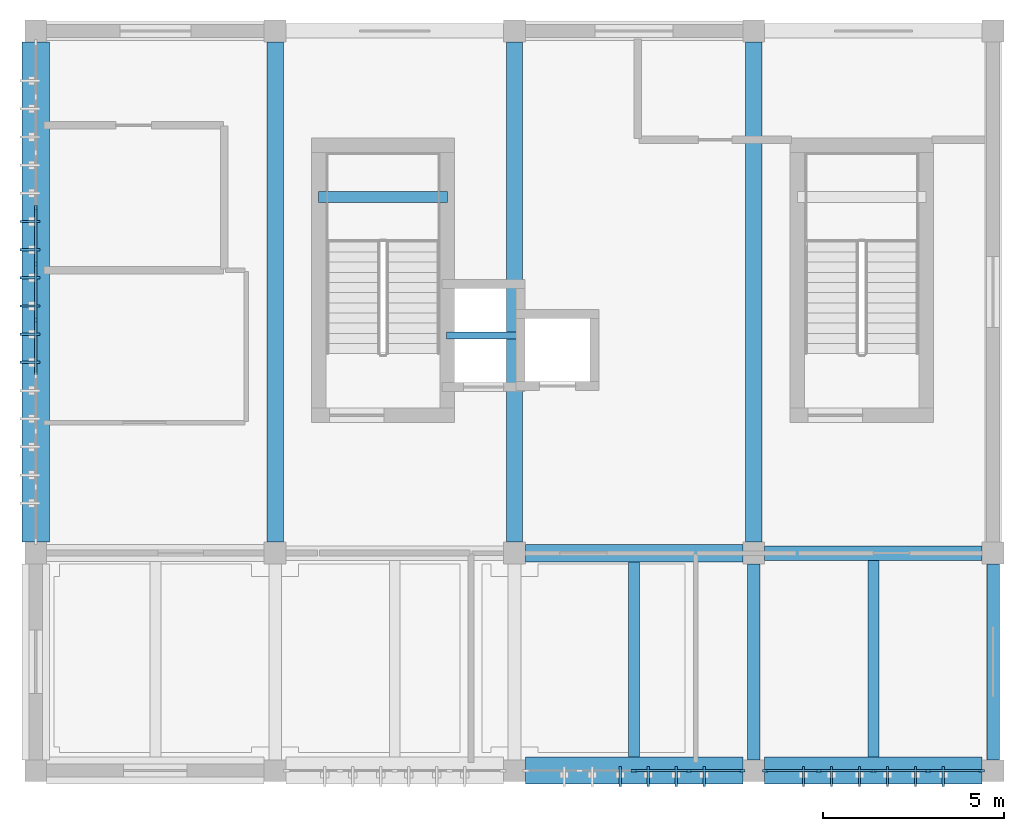
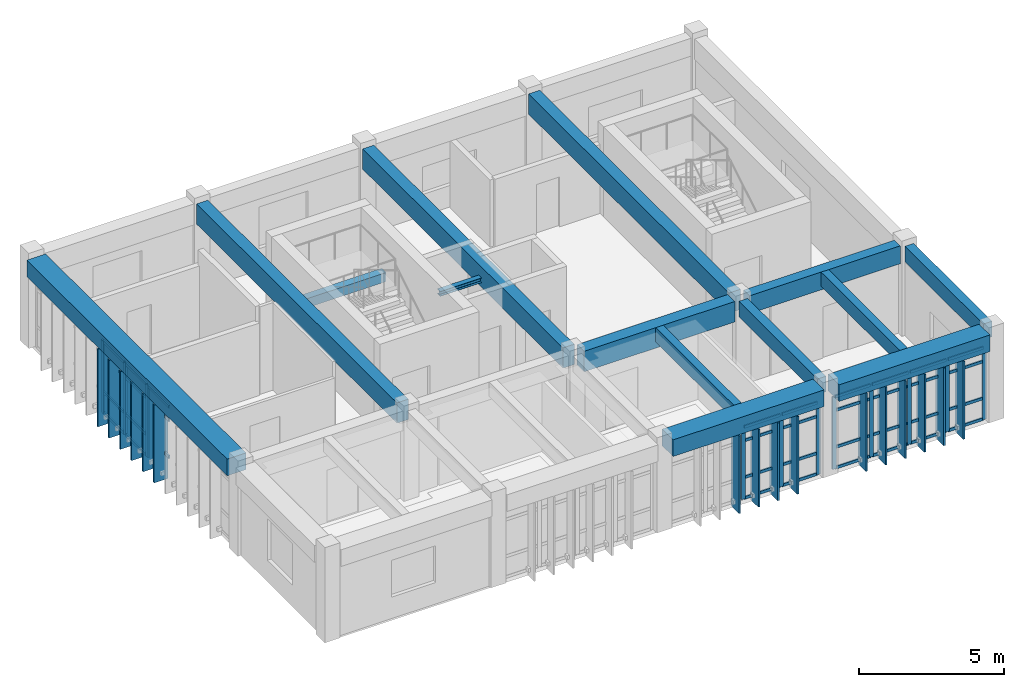
# One storey, part 2 of 7: 62 members, 14 beams, 3 elements without a shape of their own.
"""IFC4 building model written with IfcOpenShell, lengths in metres."""

from ifc_helpers import new_model, si_unit, direction, frame, origin, origin_2d, place, context, subcontext, project, spatial, rectangle, i_section, extrude, material, layer, layer_set, material_profile, profile_set, type_object, element, aggregate, save


model = new_model("IFC4")

# Units and contexts
model_context = context("Model", 3, precision=1e-05, world=origin(), true_north=direction((0.0, 1.0)))
body_context = subcontext(model_context, "Body", "Model", "MODEL_VIEW")
ifc_project = project(units=[si_unit("LENGTHUNIT", "METRE"), si_unit("AREAUNIT", "SQUARE_METRE"), si_unit("VOLUMEUNIT", "CUBIC_METRE"), si_unit("PLANEANGLEUNIT", "RADIAN"), si_unit("MASSUNIT", "GRAM", prefix="KILO")], contexts=[model_context])

# Site, building, storey
site_placement = place(None, origin())
site = spatial("IfcSite", under=ifc_project, at=site_placement, CompositionType="ELEMENT")
building_placement = place(site_placement, origin())
building = spatial("IfcBuilding", under=site, at=building_placement, Name="Miralva Faculty of Natural Sciences", CompositionType="ELEMENT")
storey_placement = place(building_placement, frame((0.0, 0.0, 40.60009765625)))
storey = spatial("IfcBuildingStorey", under=building, at=storey_placement, Name="L09", CompositionType="ELEMENT", Elevation=40.60009765625)

# Beams
ifc_material_1 = material(Name="Concrete C40/50", Category="concrete")
ifc_material_profile_1 = material_profile(ifc_material_1, rectangle(XDim=0.449951171875, YDim=0.85009765625, at=origin_2d()), Name="RC 450x850")
ifc_profile_set_1 = profile_set([ifc_material_profile_1], Name="Concrete C40/50")
beam_type_1 = type_object("IfcBeamType", Name="BM-B01", PredefinedType="BEAM", material=ifc_profile_set_1)
for number, where, z_axis, x_axis, name in (
    (1, (9.60009765625, 9.300048828125, 3.324951171875), (0.0, 1.0, 0.0), (-1.0, 0.0, 0.0), "Girder NS L09-16"),
    (2, (16.199951171875, 9.300048828125, 3.324951171875), (0.0, 1.0, 0.0), (-1.0, 0.0, 0.0), "Girder NS L09-18"),
    (3, (22.800048828125, 9.300048828125, 3.324951171875), (0.0, 1.0, 0.0), (-1.0, 0.0, 0.0), "Girder NS L09-20"),
):
    element("IfcBeam", number, at=place(storey_placement, frame(where, z_axis=z_axis, x_axis=x_axis)), inside=storey, type_object=beam_type_1, Name=name, PredefinedType="BEAM", context=body_context, shape_type="SweptSolid", body=[
        extrude(rectangle(XDim=0.449951171875, YDim=0.85009765625, at=origin_2d()), origin(), (0.0, 0.0, 1.0), 13.800048828125),
    ])
ifc_material_profile_2 = material_profile(ifc_material_1, rectangle(XDim=0.39990234375, YDim=0.75, at=origin_2d()), Name="RC 400x750")
ifc_profile_set_2 = profile_set([ifc_material_profile_2], Name="Concrete C40/50")
beam_type_2 = type_object("IfcBeamType", Name="BM-B03", PredefinedType="BEAM", material=ifc_profile_set_2)
beam_1_placement = place(storey_placement, frame((23.10009765625, 9.0, 3.375), z_axis=(1.0, 0.0, 0.0), x_axis=(0.0, 1.0, 0.0)))
element("IfcBeam", 4, at=beam_1_placement, inside=storey, type_object=beam_type_2, Name="Girder EW L09-8", PredefinedType="BEAM", context=body_context, shape_type="SweptSolid", body=[
    extrude(rectangle(XDim=0.39990234375, YDim=0.75, at=origin_2d()), origin(), (0.0, 0.0, 1.0), 6.0),
])
ifc_material_profile_3 = material_profile(ifc_material_1, rectangle(XDim=0.35009765625, YDim=0.64990234375, at=origin_2d()), Name="RC 350x650")
ifc_profile_set_3 = profile_set([ifc_material_profile_3], Name="Concrete C40/50")
beam_type_3 = type_object("IfcBeamType", Name="BM-B05", PredefinedType="BEAM", material=ifc_profile_set_3)
for number, where, z_axis, x_axis, name in (
    (5, (22.800048828125, 3.300048828125, 3.4248046875), (0.0, 1.0, 0.0), (-1.0, 0.0, 0.0), "Girder NS L09-19"),
    (6, (29.39990234375, 3.300048828125, 3.4248046875), (0.0, 1.0, 0.0), (-1.0, 0.0, 0.0), "Girder NS L09-21"),
):
    element("IfcBeam", number, at=place(storey_placement, frame(where, z_axis=z_axis, x_axis=x_axis)), inside=storey, type_object=beam_type_3, Name=name, PredefinedType="BEAM", context=body_context, shape_type="SweptSolid", body=[
        extrude(rectangle(XDim=0.35009765625, YDim=0.64990234375, at=origin_2d()), origin(), (0.0, 0.0, 1.0), 5.39990234375),
    ])
ifc_material_profile_4 = material_profile(ifc_material_1, rectangle(XDim=0.47998046875, YDim=0.860107421875, at=origin_2d()), Name="RC 480x860")
ifc_profile_set_4 = profile_set([ifc_material_profile_4], Name="Concrete C40/50")
beam_type_4 = type_object("IfcBeamType", Name="BM-BG17", PredefinedType="BEAM", material=ifc_profile_set_4)
beam_2_placement = place(storey_placement, frame((16.5, 9.0, 3.31982421875), z_axis=(1.0, 0.0, 0.0), x_axis=(0.0, 1.0, 0.0)))
element("IfcBeam", 7, at=beam_2_placement, inside=storey, type_object=beam_type_4, Name="Girder EW L09-7", PredefinedType="BEAM", context=body_context, shape_type="SweptSolid", body=[
    extrude(rectangle(XDim=0.47998046875, YDim=0.860107421875, at=origin_2d()), origin(), (0.0, 0.0, 1.0), 6.0),
])
ifc_material_profile_5 = material_profile(ifc_material_1, rectangle(XDim=0.300048828125, YDim=0.60009765625, at=origin_2d()), Name="RC 300x600")
ifc_profile_set_5 = profile_set([ifc_material_profile_5], Name="Concrete C40/50")
beam_type_5 = type_object("IfcBeamType", Name="BM-J01", PredefinedType="JOIST", material=ifc_profile_set_5)
beam_3_placement = place(storey_placement, frame((19.5, 3.375, 3.449951171875), z_axis=(0.0, 1.0, 0.0), x_axis=(-1.0, 0.0, 0.0)))
element("IfcBeam", 8, at=beam_3_placement, inside=storey, type_object=beam_type_5, Name="Floor joist L09-3", PredefinedType="JOIST", context=body_context, shape_type="SweptSolid", body=[
    extrude(rectangle(XDim=0.300048828125, YDim=0.60009765625, at=origin_2d()), origin(), (0.0, 0.0, 1.0), 5.385009765625),
])
beam_4_placement = place(storey_placement, frame((26.10009765625, 3.375, 3.449951171875), z_axis=(0.0, 1.0, 0.0), x_axis=(-1.0, 0.0, 0.0)))
element("IfcBeam", 9, at=beam_4_placement, inside=storey, type_object=beam_type_5, Name="Floor joist L09-4", PredefinedType="JOIST", context=body_context, shape_type="SweptSolid", body=[
    extrude(rectangle(XDim=0.300048828125, YDim=0.60009765625, at=origin_2d()), origin(), (0.0, 0.0, 1.0), 5.425048828125),
])
ifc_material_profile_6 = material_profile(ifc_material_1, rectangle(XDim=0.300048828125, YDim=0.3798828125, at=origin_2d()), Name="RC 300x380")
ifc_profile_set_6 = profile_set([ifc_material_profile_6], Name="Concrete C40/50")
beam_type_6 = type_object("IfcBeamType", Name="BM-LND01", PredefinedType="BEAM", material=ifc_profile_set_6)
beam_5_placement = place(storey_placement, frame((10.800048828125, 18.81494140625, 1.619873046875), z_axis=(1.0, 0.0, 0.0), x_axis=(0.0, 1.0, 0.0)))
element("IfcBeam", 10, at=beam_5_placement, inside=storey, type_object=beam_type_6, Name="Stair Core C1 half-landing support beam L09", PredefinedType="BEAM", context=body_context, shape_type="SweptSolid", body=[
    extrude(rectangle(XDim=0.300048828125, YDim=0.3798828125, at=origin_2d()), origin(), (0.0, 0.0, 1.0), 3.550048828125),
])
ifc_material_2 = material(Name="Steel S355", Category="steel")
ifc_material_profile_7 = material_profile(ifc_material_2, i_section(OverallWidth=0.202880859375, OverallDepth=0.202880859375, WebThickness=0.007080078125, FlangeThickness=0.010986328125, FilletRadius=0.010009765625, at=origin_2d()), Name="W200x46")
ifc_profile_set_7 = profile_set([ifc_material_profile_7], Name="Steel S355")
beam_type_7 = type_object("IfcBeamType", Name="BM-SB04", PredefinedType="BEAM", material=ifc_profile_set_7)
beam_6_placement = place(storey_placement, frame((14.330078125, 15.0, 3.199951171875), z_axis=(1.0, 0.0, 0.0), x_axis=(0.0, 1.0, 0.0)))
element("IfcBeam", 11, at=beam_6_placement, inside=storey, type_object=beam_type_7, Name="Lift L-01 hoistway separator steel beam", PredefinedType="BEAM", context=body_context, shape_type="SweptSolid", body=[
    extrude(i_section(OverallWidth=0.202880859375, OverallDepth=0.202880859375, WebThickness=0.007080078125, FlangeThickness=0.010986328125, FilletRadius=0.010009765625, at=origin_2d()), origin(), (0.0, 0.0, 1.0), 2.0400390625),
])
ifc_material_profile_8 = material_profile(ifc_material_1, rectangle(XDim=0.75, YDim=0.699951171875, at=origin_2d()), Name="RC 750x700")
ifc_profile_set_8 = profile_set([ifc_material_profile_8], Name="Concrete C40/50")
beam_type_8 = type_object("IfcBeamType", Name="BM-SP01", PredefinedType="SPANDREL", material=ifc_profile_set_8)
for number, where, z_axis, x_axis, name in (
    (12, (16.5, 3.0, 3.39990234375), (1.0, 0.0, 0.0), (0.0, 1.0, 0.0), "Girder EW L09-3"),
    (13, (23.10009765625, 3.0, 3.39990234375), (1.0, 0.0, 0.0), (0.0, 1.0, 0.0), "Girder EW L09-4"),
):
    element("IfcBeam", number, at=place(storey_placement, frame(where, z_axis=z_axis, x_axis=x_axis)), inside=storey, type_object=beam_type_8, Name=name, PredefinedType="SPANDREL", context=body_context, shape_type="SweptSolid", body=[
        extrude(rectangle(XDim=0.75, YDim=0.699951171875, at=origin_2d()), origin(), (0.0, 0.0, 1.0), 6.0),
    ])
beam_7_placement = place(storey_placement, frame((3.0, 9.300048828125, 3.39990234375), z_axis=(0.0, 1.0, 0.0), x_axis=(-1.0, 0.0, 0.0)))
element("IfcBeam", 14, at=beam_7_placement, inside=storey, type_object=beam_type_8, Name="Girder NS L09-14", PredefinedType="SPANDREL", context=body_context, shape_type="SweptSolid", body=[
    extrude(rectangle(XDim=0.75, YDim=0.699951171875, at=origin_2d()), origin(), (0.0, 0.0, 1.0), 13.800048828125),
])

# Curtain wall, members
ifc_material_3 = material(Name="Laminated solar-control glass", Category="glass")
ifc_layer = layer(ifc_material_3, 0.179931640625, Name="CW-TWR-L07")
ifc_layer_set = layer_set([ifc_layer], Name="Laminated solar-control glass")
curtain_wall_type = type_object("IfcCurtainWallType", Name="CW-TWR-L07", PredefinedType="USERDEFINED", material=ifc_layer_set)
curtain_wall_1_placement = place(storey_placement, origin())
curtain_wall_1 = element("IfcCurtainWall", 15, at=curtain_wall_1_placement, inside=storey, type_object=curtain_wall_type, Name="Curtain wall CW-15 L09-252", ObjectType="UNITISED CURTAIN WALL", PredefinedType="USERDEFINED")
ifc_material_4 = material(Name="Anodised aluminium", Category="aluminium")
ifc_material_profile_9 = material_profile(ifc_material_4, rectangle(XDim=0.06494140625, YDim=0.159912109375, at=origin_2d()), Name="MULLION 65x160")
ifc_profile_set_9 = profile_set([ifc_material_profile_9], Name="Anodised aluminium")
member_type_1 = type_object("IfcMemberType", Name="CW-M02", PredefinedType="MULLION", material=ifc_profile_set_9)
member_1_placement = place(storey_placement, frame((19.5, 3.0, 0.0), z_axis=(0.0, 0.0, 1.0), x_axis=(0.0, 1.0, 0.0)))
member_1 = element("IfcMember", 16, at=member_1_placement, type_object=member_type_1, Name="CW-15 mullion 3", PredefinedType="MULLION", context=body_context, shape_type="SweptSolid", body=[
    extrude(rectangle(XDim=0.06494140625, YDim=0.159912109375, at=origin_2d()), origin(), (0.0, 0.0, 1.0), 3.044921875),
])
member_2_placement = place(storey_placement, frame((21.007568359375, 3.0, 0.0), z_axis=(0.0, 0.0, 1.0), x_axis=(0.0, 1.0, 0.0)))
member_2 = element("IfcMember", 17, at=member_2_placement, type_object=member_type_1, Name="CW-15 mullion 4", PredefinedType="MULLION", context=body_context, shape_type="SweptSolid", body=[
    extrude(rectangle(XDim=0.06494140625, YDim=0.159912109375, at=origin_2d()), origin(), (0.0, 0.0, 1.0), 3.044921875),
])
member_3_placement = place(storey_placement, frame((22.482421875, 3.0, 0.0), z_axis=(0.0, 0.0, 1.0), x_axis=(0.0, 1.0, 0.0)))
member_3 = element("IfcMember", 18, at=member_3_placement, type_object=member_type_1, Name="CW-15 mullion 5", PredefinedType="MULLION", context=body_context, shape_type="SweptSolid", body=[
    extrude(rectangle(XDim=0.06494140625, YDim=0.159912109375, at=origin_2d()), origin(), (0.0, 0.0, 1.0), 3.044921875),
])

curtain_wall_2_placement = place(storey_placement, origin())
curtain_wall_2 = element("IfcCurtainWall", 19, at=curtain_wall_2_placement, inside=storey, type_object=curtain_wall_type, Name="Curtain wall CW-15 L09-253", ObjectType="UNITISED CURTAIN WALL", PredefinedType="USERDEFINED")
member_4_placement = place(storey_placement, frame((23.117431640625, 3.0, 0.0), z_axis=(0.0, 0.0, 1.0), x_axis=(0.0, 1.0, 0.0)))
member_4 = element("IfcMember", 20, at=member_4_placement, type_object=member_type_1, Name="CW-15 mullion 1", PredefinedType="MULLION", context=body_context, shape_type="SweptSolid", body=[
    extrude(rectangle(XDim=0.06494140625, YDim=0.159912109375, at=origin_2d()), origin(), (0.0, 0.0, 1.0), 3.044921875),
])
member_5_placement = place(storey_placement, frame((24.592529296875, 3.0, 0.0), z_axis=(0.0, 0.0, 1.0), x_axis=(0.0, 1.0, 0.0)))
member_5 = element("IfcMember", 21, at=member_5_placement, type_object=member_type_1, Name="CW-15 mullion 2", PredefinedType="MULLION", context=body_context, shape_type="SweptSolid", body=[
    extrude(rectangle(XDim=0.06494140625, YDim=0.159912109375, at=origin_2d()), origin(), (0.0, 0.0, 1.0), 3.044921875),
])
member_6_placement = place(storey_placement, frame((26.10009765625, 3.0, 0.0), z_axis=(0.0, 0.0, 1.0), x_axis=(0.0, 1.0, 0.0)))
member_6 = element("IfcMember", 22, at=member_6_placement, type_object=member_type_1, Name="CW-15 mullion 3", PredefinedType="MULLION", context=body_context, shape_type="SweptSolid", body=[
    extrude(rectangle(XDim=0.06494140625, YDim=0.159912109375, at=origin_2d()), origin(), (0.0, 0.0, 1.0), 3.044921875),
])
member_7_placement = place(storey_placement, frame((27.607421875, 3.0, 0.0), z_axis=(0.0, 0.0, 1.0), x_axis=(0.0, 1.0, 0.0)))
member_7 = element("IfcMember", 23, at=member_7_placement, type_object=member_type_1, Name="CW-15 mullion 4", PredefinedType="MULLION", context=body_context, shape_type="SweptSolid", body=[
    extrude(rectangle(XDim=0.06494140625, YDim=0.159912109375, at=origin_2d()), origin(), (0.0, 0.0, 1.0), 3.044921875),
])
member_8_placement = place(storey_placement, frame((29.08251953125, 3.0, 0.0), z_axis=(0.0, 0.0, 1.0), x_axis=(0.0, 1.0, 0.0)))
member_8 = element("IfcMember", 24, at=member_8_placement, type_object=member_type_1, Name="CW-15 mullion 5", PredefinedType="MULLION", context=body_context, shape_type="SweptSolid", body=[
    extrude(rectangle(XDim=0.06494140625, YDim=0.159912109375, at=origin_2d()), origin(), (0.0, 0.0, 1.0), 3.044921875),
])

curtain_wall_3_placement = place(storey_placement, origin())
curtain_wall_3 = element("IfcCurtainWall", 25, at=curtain_wall_3_placement, inside=storey, type_object=curtain_wall_type, Name="Curtain wall CW-15 L09-254", ObjectType="UNITISED CURTAIN WALL", PredefinedType="USERDEFINED")
member_9_placement = place(storey_placement, frame((3.0, 15.431640625, 0.0), z_axis=(0.0, 0.0, 1.0), x_axis=(-1.0, 0.0, 0.0)))
member_9 = element("IfcMember", 26, at=member_9_placement, type_object=member_type_1, Name="CW-15 mullion 5", PredefinedType="MULLION", context=body_context, shape_type="SweptSolid", body=[
    extrude(rectangle(XDim=0.06494140625, YDim=0.159912109375, at=origin_2d()), origin(), (0.0, 0.0, 1.0), 3.044921875),
])
member_10_placement = place(storey_placement, frame((3.0, 16.96826171875, 0.0), z_axis=(0.0, 0.0, 1.0), x_axis=(-1.0, 0.0, 0.0)))
member_10 = element("IfcMember", 27, at=member_10_placement, type_object=member_type_1, Name="CW-15 mullion 6", PredefinedType="MULLION", context=body_context, shape_type="SweptSolid", body=[
    extrude(rectangle(XDim=0.06494140625, YDim=0.159912109375, at=origin_2d()), origin(), (0.0, 0.0, 1.0), 3.044921875),
])
member_11_placement = place(storey_placement, frame((3.0, 18.5048828125, 0.0), z_axis=(0.0, 0.0, 1.0), x_axis=(-1.0, 0.0, 0.0)))
member_11 = element("IfcMember", 28, at=member_11_placement, type_object=member_type_1, Name="CW-15 mullion 7", PredefinedType="MULLION", context=body_context, shape_type="SweptSolid", body=[
    extrude(rectangle(XDim=0.06494140625, YDim=0.159912109375, at=origin_2d()), origin(), (0.0, 0.0, 1.0), 3.044921875),
])

# Member
ifc_material_profile_10 = material_profile(ifc_material_4, rectangle(XDim=0.06005859375, YDim=0.1201171875, at=origin_2d()), Name="TRANSOM 60x120")
ifc_profile_set_10 = profile_set([ifc_material_profile_10], Name="Anodised aluminium")
member_type_2 = type_object("IfcMemberType", Name="CW-T02", PredefinedType="USERDEFINED", material=ifc_profile_set_10)
member_12_placement = place(storey_placement, frame((19.532470703125, 3.0, 0.02978515625), z_axis=(1.0, 0.0, 0.0), x_axis=(0.0, 1.0, 0.0)))
member_12 = element("IfcMember", 29, at=member_12_placement, type_object=member_type_2, Name="CW-15 transom 3.1", ObjectType="TRANSOM", PredefinedType="USERDEFINED", context=body_context, shape_type="SweptSolid", body=[
    extrude(rectangle(XDim=0.06005859375, YDim=0.1201171875, at=origin_2d()), origin(), (0.0, 0.0, 1.0), 1.442626953125),
])

member_13_placement = place(storey_placement, frame((19.532470703125, 3.0, 0.89990234375), z_axis=(1.0, 0.0, 0.0), x_axis=(0.0, 1.0, 0.0)))
member_13 = element("IfcMember", 30, at=member_13_placement, type_object=member_type_2, Name="CW-15 transom 3.2", ObjectType="TRANSOM", PredefinedType="USERDEFINED", context=body_context, shape_type="SweptSolid", body=[
    extrude(rectangle(XDim=0.06005859375, YDim=0.1201171875, at=origin_2d()), origin(), (0.0, 0.0, 1.0), 1.442626953125),
])

member_14_placement = place(storey_placement, frame((19.532470703125, 3.0, 2.44482421875), z_axis=(1.0, 0.0, 0.0), x_axis=(0.0, 1.0, 0.0)))
member_14 = element("IfcMember", 31, at=member_14_placement, type_object=member_type_2, Name="CW-15 transom 3.3", ObjectType="TRANSOM", PredefinedType="USERDEFINED", context=body_context, shape_type="SweptSolid", body=[
    extrude(rectangle(XDim=0.06005859375, YDim=0.1201171875, at=origin_2d()), origin(), (0.0, 0.0, 1.0), 1.442626953125),
])

member_15_placement = place(storey_placement, frame((19.532470703125, 3.0, 3.014892578125), z_axis=(1.0, 0.0, 0.0), x_axis=(0.0, 1.0, 0.0)))
member_15 = element("IfcMember", 32, at=member_15_placement, type_object=member_type_2, Name="CW-15 transom 3.4", ObjectType="TRANSOM", PredefinedType="USERDEFINED", context=body_context, shape_type="SweptSolid", body=[
    extrude(rectangle(XDim=0.06005859375, YDim=0.1201171875, at=origin_2d()), origin(), (0.0, 0.0, 1.0), 1.442626953125),
])

member_16_placement = place(storey_placement, frame((21.0400390625, 3.0, 0.02978515625), z_axis=(1.0, 0.0, 0.0), x_axis=(0.0, 1.0, 0.0)))
member_16 = element("IfcMember", 33, at=member_16_placement, type_object=member_type_2, Name="CW-15 transom 4.1", ObjectType="TRANSOM", PredefinedType="USERDEFINED", context=body_context, shape_type="SweptSolid", body=[
    extrude(rectangle(XDim=0.06005859375, YDim=0.1201171875, at=origin_2d()), origin(), (0.0, 0.0, 1.0), 1.409912109375),
])

member_17_placement = place(storey_placement, frame((21.0400390625, 3.0, 0.89990234375), z_axis=(1.0, 0.0, 0.0), x_axis=(0.0, 1.0, 0.0)))
member_17 = element("IfcMember", 34, at=member_17_placement, type_object=member_type_2, Name="CW-15 transom 4.2", ObjectType="TRANSOM", PredefinedType="USERDEFINED", context=body_context, shape_type="SweptSolid", body=[
    extrude(rectangle(XDim=0.06005859375, YDim=0.1201171875, at=origin_2d()), origin(), (0.0, 0.0, 1.0), 1.409912109375),
])

member_18_placement = place(storey_placement, frame((21.0400390625, 3.0, 2.44482421875), z_axis=(1.0, 0.0, 0.0), x_axis=(0.0, 1.0, 0.0)))
member_18 = element("IfcMember", 35, at=member_18_placement, type_object=member_type_2, Name="CW-15 transom 4.3", ObjectType="TRANSOM", PredefinedType="USERDEFINED", context=body_context, shape_type="SweptSolid", body=[
    extrude(rectangle(XDim=0.06005859375, YDim=0.1201171875, at=origin_2d()), origin(), (0.0, 0.0, 1.0), 1.409912109375),
])

member_19_placement = place(storey_placement, frame((21.0400390625, 3.0, 3.014892578125), z_axis=(1.0, 0.0, 0.0), x_axis=(0.0, 1.0, 0.0)))
member_19 = element("IfcMember", 36, at=member_19_placement, type_object=member_type_2, Name="CW-15 transom 4.4", ObjectType="TRANSOM", PredefinedType="USERDEFINED", context=body_context, shape_type="SweptSolid", body=[
    extrude(rectangle(XDim=0.06005859375, YDim=0.1201171875, at=origin_2d()), origin(), (0.0, 0.0, 1.0), 1.409912109375),
])

aggregate(curtain_wall_1, [member_1, member_2, member_3, member_12, member_13, member_14, member_15, member_16, member_17, member_18, member_19])

member_20_placement = place(storey_placement, frame((23.14990234375, 3.0, 0.02978515625), z_axis=(1.0, 0.0, 0.0), x_axis=(0.0, 1.0, 0.0)))
member_20 = element("IfcMember", 37, at=member_20_placement, type_object=member_type_2, Name="CW-15 transom 1.1", ObjectType="TRANSOM", PredefinedType="USERDEFINED", context=body_context, shape_type="SweptSolid", body=[
    extrude(rectangle(XDim=0.06005859375, YDim=0.1201171875, at=origin_2d()), origin(), (0.0, 0.0, 1.0), 1.41015625),
])

member_21_placement = place(storey_placement, frame((23.14990234375, 3.0, 0.89990234375), z_axis=(1.0, 0.0, 0.0), x_axis=(0.0, 1.0, 0.0)))
member_21 = element("IfcMember", 38, at=member_21_placement, type_object=member_type_2, Name="CW-15 transom 1.2", ObjectType="TRANSOM", PredefinedType="USERDEFINED", context=body_context, shape_type="SweptSolid", body=[
    extrude(rectangle(XDim=0.06005859375, YDim=0.1201171875, at=origin_2d()), origin(), (0.0, 0.0, 1.0), 1.41015625),
])

member_22_placement = place(storey_placement, frame((23.14990234375, 3.0, 2.44482421875), z_axis=(1.0, 0.0, 0.0), x_axis=(0.0, 1.0, 0.0)))
member_22 = element("IfcMember", 39, at=member_22_placement, type_object=member_type_2, Name="CW-15 transom 1.3", ObjectType="TRANSOM", PredefinedType="USERDEFINED", context=body_context, shape_type="SweptSolid", body=[
    extrude(rectangle(XDim=0.06005859375, YDim=0.1201171875, at=origin_2d()), origin(), (0.0, 0.0, 1.0), 1.41015625),
])

member_23_placement = place(storey_placement, frame((23.14990234375, 3.0, 3.014892578125), z_axis=(1.0, 0.0, 0.0), x_axis=(0.0, 1.0, 0.0)))
member_23 = element("IfcMember", 40, at=member_23_placement, type_object=member_type_2, Name="CW-15 transom 1.4", ObjectType="TRANSOM", PredefinedType="USERDEFINED", context=body_context, shape_type="SweptSolid", body=[
    extrude(rectangle(XDim=0.06005859375, YDim=0.1201171875, at=origin_2d()), origin(), (0.0, 0.0, 1.0), 1.41015625),
])

member_24_placement = place(storey_placement, frame((24.625, 3.0, 0.02978515625), z_axis=(1.0, 0.0, 0.0), x_axis=(0.0, 1.0, 0.0)))
member_24 = element("IfcMember", 41, at=member_24_placement, type_object=member_type_2, Name="CW-15 transom 2.1", ObjectType="TRANSOM", PredefinedType="USERDEFINED", context=body_context, shape_type="SweptSolid", body=[
    extrude(rectangle(XDim=0.06005859375, YDim=0.1201171875, at=origin_2d()), origin(), (0.0, 0.0, 1.0), 1.4423828125),
])

member_25_placement = place(storey_placement, frame((24.625, 3.0, 0.89990234375), z_axis=(1.0, 0.0, 0.0), x_axis=(0.0, 1.0, 0.0)))
member_25 = element("IfcMember", 42, at=member_25_placement, type_object=member_type_2, Name="CW-15 transom 2.2", ObjectType="TRANSOM", PredefinedType="USERDEFINED", context=body_context, shape_type="SweptSolid", body=[
    extrude(rectangle(XDim=0.06005859375, YDim=0.1201171875, at=origin_2d()), origin(), (0.0, 0.0, 1.0), 1.4423828125),
])

member_26_placement = place(storey_placement, frame((24.625, 3.0, 2.44482421875), z_axis=(1.0, 0.0, 0.0), x_axis=(0.0, 1.0, 0.0)))
member_26 = element("IfcMember", 43, at=member_26_placement, type_object=member_type_2, Name="CW-15 transom 2.3", ObjectType="TRANSOM", PredefinedType="USERDEFINED", context=body_context, shape_type="SweptSolid", body=[
    extrude(rectangle(XDim=0.06005859375, YDim=0.1201171875, at=origin_2d()), origin(), (0.0, 0.0, 1.0), 1.4423828125),
])

member_27_placement = place(storey_placement, frame((24.625, 3.0, 3.014892578125), z_axis=(1.0, 0.0, 0.0), x_axis=(0.0, 1.0, 0.0)))
member_27 = element("IfcMember", 44, at=member_27_placement, type_object=member_type_2, Name="CW-15 transom 2.4", ObjectType="TRANSOM", PredefinedType="USERDEFINED", context=body_context, shape_type="SweptSolid", body=[
    extrude(rectangle(XDim=0.06005859375, YDim=0.1201171875, at=origin_2d()), origin(), (0.0, 0.0, 1.0), 1.4423828125),
])

member_28_placement = place(storey_placement, frame((26.132568359375, 3.0, 0.02978515625), z_axis=(1.0, 0.0, 0.0), x_axis=(0.0, 1.0, 0.0)))
member_28 = element("IfcMember", 45, at=member_28_placement, type_object=member_type_2, Name="CW-15 transom 3.1", ObjectType="TRANSOM", PredefinedType="USERDEFINED", context=body_context, shape_type="SweptSolid", body=[
    extrude(rectangle(XDim=0.06005859375, YDim=0.1201171875, at=origin_2d()), origin(), (0.0, 0.0, 1.0), 1.4423828125),
])

member_29_placement = place(storey_placement, frame((26.132568359375, 3.0, 0.89990234375), z_axis=(1.0, 0.0, 0.0), x_axis=(0.0, 1.0, 0.0)))
member_29 = element("IfcMember", 46, at=member_29_placement, type_object=member_type_2, Name="CW-15 transom 3.2", ObjectType="TRANSOM", PredefinedType="USERDEFINED", context=body_context, shape_type="SweptSolid", body=[
    extrude(rectangle(XDim=0.06005859375, YDim=0.1201171875, at=origin_2d()), origin(), (0.0, 0.0, 1.0), 1.4423828125),
])

member_30_placement = place(storey_placement, frame((26.132568359375, 3.0, 2.44482421875), z_axis=(1.0, 0.0, 0.0), x_axis=(0.0, 1.0, 0.0)))
member_30 = element("IfcMember", 47, at=member_30_placement, type_object=member_type_2, Name="CW-15 transom 3.3", ObjectType="TRANSOM", PredefinedType="USERDEFINED", context=body_context, shape_type="SweptSolid", body=[
    extrude(rectangle(XDim=0.06005859375, YDim=0.1201171875, at=origin_2d()), origin(), (0.0, 0.0, 1.0), 1.4423828125),
])

member_31_placement = place(storey_placement, frame((26.132568359375, 3.0, 3.014892578125), z_axis=(1.0, 0.0, 0.0), x_axis=(0.0, 1.0, 0.0)))
member_31 = element("IfcMember", 48, at=member_31_placement, type_object=member_type_2, Name="CW-15 transom 3.4", ObjectType="TRANSOM", PredefinedType="USERDEFINED", context=body_context, shape_type="SweptSolid", body=[
    extrude(rectangle(XDim=0.06005859375, YDim=0.1201171875, at=origin_2d()), origin(), (0.0, 0.0, 1.0), 1.4423828125),
])

member_32_placement = place(storey_placement, frame((27.639892578125, 3.0, 0.02978515625), z_axis=(1.0, 0.0, 0.0), x_axis=(0.0, 1.0, 0.0)))
member_32 = element("IfcMember", 49, at=member_32_placement, type_object=member_type_2, Name="CW-15 transom 4.1", ObjectType="TRANSOM", PredefinedType="USERDEFINED", context=body_context, shape_type="SweptSolid", body=[
    extrude(rectangle(XDim=0.06005859375, YDim=0.1201171875, at=origin_2d()), origin(), (0.0, 0.0, 1.0), 1.41015625),
])

member_33_placement = place(storey_placement, frame((27.639892578125, 3.0, 0.89990234375), z_axis=(1.0, 0.0, 0.0), x_axis=(0.0, 1.0, 0.0)))
member_33 = element("IfcMember", 50, at=member_33_placement, type_object=member_type_2, Name="CW-15 transom 4.2", ObjectType="TRANSOM", PredefinedType="USERDEFINED", context=body_context, shape_type="SweptSolid", body=[
    extrude(rectangle(XDim=0.06005859375, YDim=0.1201171875, at=origin_2d()), origin(), (0.0, 0.0, 1.0), 1.41015625),
])

member_34_placement = place(storey_placement, frame((27.639892578125, 3.0, 2.44482421875), z_axis=(1.0, 0.0, 0.0), x_axis=(0.0, 1.0, 0.0)))
member_34 = element("IfcMember", 51, at=member_34_placement, type_object=member_type_2, Name="CW-15 transom 4.3", ObjectType="TRANSOM", PredefinedType="USERDEFINED", context=body_context, shape_type="SweptSolid", body=[
    extrude(rectangle(XDim=0.06005859375, YDim=0.1201171875, at=origin_2d()), origin(), (0.0, 0.0, 1.0), 1.41015625),
])

member_35_placement = place(storey_placement, frame((27.639892578125, 3.0, 3.014892578125), z_axis=(1.0, 0.0, 0.0), x_axis=(0.0, 1.0, 0.0)))
member_35 = element("IfcMember", 52, at=member_35_placement, type_object=member_type_2, Name="CW-15 transom 4.4", ObjectType="TRANSOM", PredefinedType="USERDEFINED", context=body_context, shape_type="SweptSolid", body=[
    extrude(rectangle(XDim=0.06005859375, YDim=0.1201171875, at=origin_2d()), origin(), (0.0, 0.0, 1.0), 1.41015625),
])

aggregate(curtain_wall_2, [member_4, member_5, member_6, member_7, member_8, member_20, member_21, member_22, member_23, member_24, member_25, member_26, member_27, member_28, member_29, member_30, member_31, member_32, member_33, member_34, member_35])

member_36_placement = place(storey_placement, frame((3.0, 13.927490234375, 0.89990234375), z_axis=(0.0, 1.0, 0.0), x_axis=(-1.0, 0.0, 0.0)))
member_36 = element("IfcMember", 53, at=member_36_placement, type_object=member_type_2, Name="CW-15 transom 4.2", ObjectType="TRANSOM", PredefinedType="USERDEFINED", context=body_context, shape_type="SweptSolid", body=[
    extrude(rectangle(XDim=0.06005859375, YDim=0.1201171875, at=origin_2d()), origin(), (0.0, 0.0, 1.0), 1.4716796875),
])

member_37_placement = place(storey_placement, frame((3.0, 13.927490234375, 2.44482421875), z_axis=(0.0, 1.0, 0.0), x_axis=(-1.0, 0.0, 0.0)))
member_37 = element("IfcMember", 54, at=member_37_placement, type_object=member_type_2, Name="CW-15 transom 4.3", ObjectType="TRANSOM", PredefinedType="USERDEFINED", context=body_context, shape_type="SweptSolid", body=[
    extrude(rectangle(XDim=0.06005859375, YDim=0.1201171875, at=origin_2d()), origin(), (0.0, 0.0, 1.0), 1.4716796875),
])

member_38_placement = place(storey_placement, frame((3.0, 13.927490234375, 3.014892578125), z_axis=(0.0, 1.0, 0.0), x_axis=(-1.0, 0.0, 0.0)))
member_38 = element("IfcMember", 55, at=member_38_placement, type_object=member_type_2, Name="CW-15 transom 4.4", ObjectType="TRANSOM", PredefinedType="USERDEFINED", context=body_context, shape_type="SweptSolid", body=[
    extrude(rectangle(XDim=0.06005859375, YDim=0.1201171875, at=origin_2d()), origin(), (0.0, 0.0, 1.0), 1.4716796875),
])

member_39_placement = place(storey_placement, frame((3.0, 15.464111328125, 0.02978515625), z_axis=(0.0, 1.0, 0.0), x_axis=(-1.0, 0.0, 0.0)))
member_39 = element("IfcMember", 56, at=member_39_placement, type_object=member_type_2, Name="CW-15 transom 5.1", ObjectType="TRANSOM", PredefinedType="USERDEFINED", context=body_context, shape_type="SweptSolid", body=[
    extrude(rectangle(XDim=0.06005859375, YDim=0.1201171875, at=origin_2d()), origin(), (0.0, 0.0, 1.0), 1.4716796875),
])

member_40_placement = place(storey_placement, frame((3.0, 15.464111328125, 0.89990234375), z_axis=(0.0, 1.0, 0.0), x_axis=(-1.0, 0.0, 0.0)))
member_40 = element("IfcMember", 57, at=member_40_placement, type_object=member_type_2, Name="CW-15 transom 5.2", ObjectType="TRANSOM", PredefinedType="USERDEFINED", context=body_context, shape_type="SweptSolid", body=[
    extrude(rectangle(XDim=0.06005859375, YDim=0.1201171875, at=origin_2d()), origin(), (0.0, 0.0, 1.0), 1.4716796875),
])

member_41_placement = place(storey_placement, frame((3.0, 15.464111328125, 2.44482421875), z_axis=(0.0, 1.0, 0.0), x_axis=(-1.0, 0.0, 0.0)))
member_41 = element("IfcMember", 58, at=member_41_placement, type_object=member_type_2, Name="CW-15 transom 5.3", ObjectType="TRANSOM", PredefinedType="USERDEFINED", context=body_context, shape_type="SweptSolid", body=[
    extrude(rectangle(XDim=0.06005859375, YDim=0.1201171875, at=origin_2d()), origin(), (0.0, 0.0, 1.0), 1.4716796875),
])

member_42_placement = place(storey_placement, frame((3.0, 15.464111328125, 3.014892578125), z_axis=(0.0, 1.0, 0.0), x_axis=(-1.0, 0.0, 0.0)))
member_42 = element("IfcMember", 59, at=member_42_placement, type_object=member_type_2, Name="CW-15 transom 5.4", ObjectType="TRANSOM", PredefinedType="USERDEFINED", context=body_context, shape_type="SweptSolid", body=[
    extrude(rectangle(XDim=0.06005859375, YDim=0.1201171875, at=origin_2d()), origin(), (0.0, 0.0, 1.0), 1.4716796875),
])

member_43_placement = place(storey_placement, frame((3.0, 17.000732421875, 0.02978515625), z_axis=(0.0, 1.0, 0.0), x_axis=(-1.0, 0.0, 0.0)))
member_43 = element("IfcMember", 60, at=member_43_placement, type_object=member_type_2, Name="CW-15 transom 6.1", ObjectType="TRANSOM", PredefinedType="USERDEFINED", context=body_context, shape_type="SweptSolid", body=[
    extrude(rectangle(XDim=0.06005859375, YDim=0.1201171875, at=origin_2d()), origin(), (0.0, 0.0, 1.0), 1.4716796875),
])

member_44_placement = place(storey_placement, frame((3.0, 17.000732421875, 0.89990234375), z_axis=(0.0, 1.0, 0.0), x_axis=(-1.0, 0.0, 0.0)))
member_44 = element("IfcMember", 61, at=member_44_placement, type_object=member_type_2, Name="CW-15 transom 6.2", ObjectType="TRANSOM", PredefinedType="USERDEFINED", context=body_context, shape_type="SweptSolid", body=[
    extrude(rectangle(XDim=0.06005859375, YDim=0.1201171875, at=origin_2d()), origin(), (0.0, 0.0, 1.0), 1.4716796875),
])

member_45_placement = place(storey_placement, frame((3.0, 17.000732421875, 2.44482421875), z_axis=(0.0, 1.0, 0.0), x_axis=(-1.0, 0.0, 0.0)))
member_45 = element("IfcMember", 62, at=member_45_placement, type_object=member_type_2, Name="CW-15 transom 6.3", ObjectType="TRANSOM", PredefinedType="USERDEFINED", context=body_context, shape_type="SweptSolid", body=[
    extrude(rectangle(XDim=0.06005859375, YDim=0.1201171875, at=origin_2d()), origin(), (0.0, 0.0, 1.0), 1.4716796875),
])

member_46_placement = place(storey_placement, frame((3.0, 17.000732421875, 3.014892578125), z_axis=(0.0, 1.0, 0.0), x_axis=(-1.0, 0.0, 0.0)))
member_46 = element("IfcMember", 63, at=member_46_placement, type_object=member_type_2, Name="CW-15 transom 6.4", ObjectType="TRANSOM", PredefinedType="USERDEFINED", context=body_context, shape_type="SweptSolid", body=[
    extrude(rectangle(XDim=0.06005859375, YDim=0.1201171875, at=origin_2d()), origin(), (0.0, 0.0, 1.0), 1.4716796875),
])

aggregate(curtain_wall_3, [member_9, member_10, member_11, member_36, member_37, member_38, member_39, member_40, member_41, member_42, member_43, member_44, member_45, member_46])

# Members
ifc_material_profile_11 = material_profile(ifc_material_4, rectangle(XDim=0.06494140625, YDim=0.550048828125, at=origin_2d()), Name="FIN 550x65")
ifc_profile_set_11 = profile_set([ifc_material_profile_11], Name="Anodised aluminium")
member_type_3 = type_object("IfcMemberType", Name="MEM-SF03", PredefinedType="USERDEFINED", material=ifc_profile_set_11)
for number, where, z_axis, x_axis, name in (
    (64, (19.1142578125, 2.840087890625, -0.22021484375), (0.0, 0.0, 1.0), (1.0, 0.0, 0.0), "Solar shading fin SF-03 L09-476"),
    (65, (19.8857421875, 2.840087890625, -0.22021484375), (0.0, 0.0, 1.0), (1.0, 0.0, 0.0), "Solar shading fin SF-03 L09-477"),
    (66, (20.657470703125, 2.840087890625, -0.22021484375), (0.0, 0.0, 1.0), (1.0, 0.0, 0.0), "Solar shading fin SF-03 L09-478"),
    (67, (21.42919921875, 2.840087890625, -0.22021484375), (0.0, 0.0, 1.0), (1.0, 0.0, 0.0), "Solar shading fin SF-03 L09-479"),
    (68, (24.1708984375, 2.840087890625, -0.22021484375), (0.0, 0.0, 1.0), (1.0, 0.0, 0.0), "Solar shading fin SF-03 L09-480"),
    (69, (24.9423828125, 2.840087890625, -0.22021484375), (0.0, 0.0, 1.0), (1.0, 0.0, 0.0), "Solar shading fin SF-03 L09-481"),
    (70, (25.714111328125, 2.840087890625, -0.22021484375), (0.0, 0.0, 1.0), (1.0, 0.0, 0.0), "Solar shading fin SF-03 L09-482"),
    (71, (26.48583984375, 2.840087890625, -0.22021484375), (0.0, 0.0, 1.0), (1.0, 0.0, 0.0), "Solar shading fin SF-03 L09-483"),
    (72, (27.257568359375, 2.840087890625, -0.22021484375), (0.0, 0.0, 1.0), (1.0, 0.0, 0.0), "Solar shading fin SF-03 L09-484"),
    (73, (28.029296875, 2.840087890625, -0.22021484375), (0.0, 0.0, 1.0), (1.0, 0.0, 0.0), "Solar shading fin SF-03 L09-485"),
    (74, (2.840087890625, 14.2578125, -0.22021484375), (0.0, 0.0, 1.0), (0.0, -1.0, 0.0), "Solar shading fin SF-03 L09-491"),
    (75, (2.840087890625, 15.03466796875, -0.22021484375), (0.0, 0.0, 1.0), (0.0, -1.0, 0.0), "Solar shading fin SF-03 L09-492"),
    (76, (2.840087890625, 15.8115234375, -0.22021484375), (0.0, 0.0, 1.0), (0.0, -1.0, 0.0), "Solar shading fin SF-03 L09-493"),
    (77, (2.840087890625, 16.58837890625, -0.22021484375), (0.0, 0.0, 1.0), (0.0, -1.0, 0.0), "Solar shading fin SF-03 L09-494"),
    (78, (2.840087890625, 17.365234375, -0.22021484375), (0.0, 0.0, 1.0), (0.0, -1.0, 0.0), "Solar shading fin SF-03 L09-495"),
    (79, (2.840087890625, 18.14208984375, -0.22021484375), (0.0, 0.0, 1.0), (0.0, -1.0, 0.0), "Solar shading fin SF-03 L09-496"),
):
    element("IfcMember", number, at=place(storey_placement, frame(where, z_axis=z_axis, x_axis=x_axis)), inside=storey, type_object=member_type_3, Name=name, ObjectType="SUNSHADE", PredefinedType="USERDEFINED", context=body_context, shape_type="SweptSolid", body=[
        extrude(rectangle(XDim=0.06494140625, YDim=0.550048828125, at=origin_2d()), origin(), (0.0, 0.0, 1.0), 3.26513671875),
    ])

save(model, "model.ifc")
